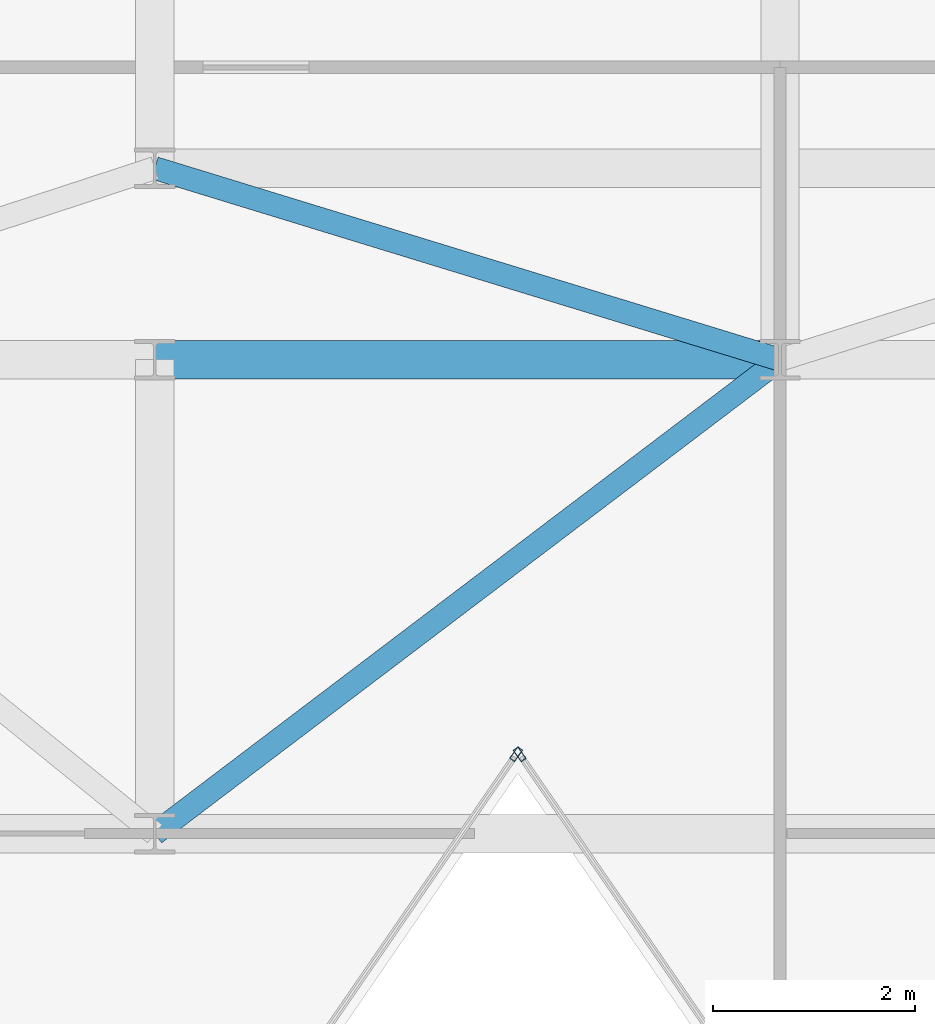
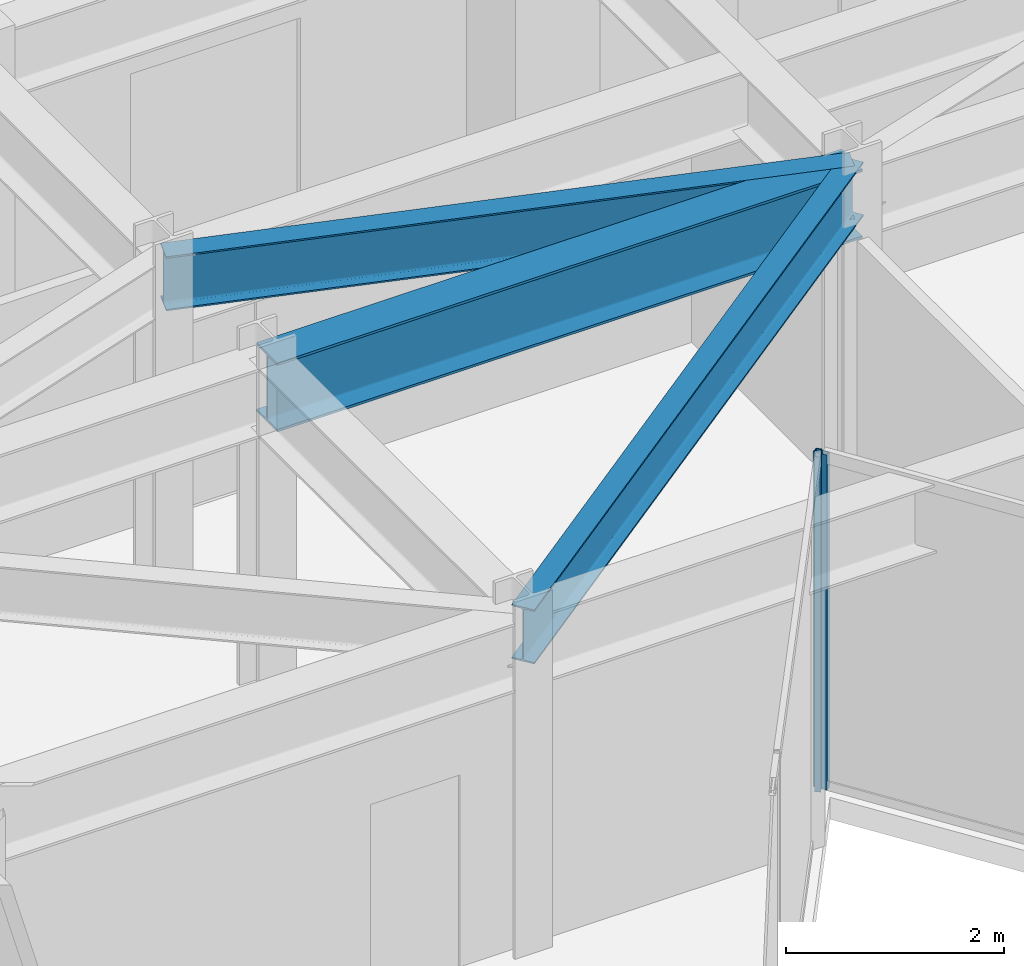
# One storey, part 14 of 26: 3 beams, 2 members, 2 elements without a shape of their own.
"""IFC4 building model written with IfcOpenShell, lengths in metres."""

from ifc_helpers import new_model, si_unit, direction, frame, origin, origin_2d, place, context, subcontext, project, spatial, hollow_rectangle, i_section, extrude, material, layer, layer_set, material_profile, profile_set, type_object, element, aggregate, save


model = new_model("IFC4")

# Units and contexts
model_context = context("Model", 3, precision=1e-05, world=origin(), true_north=direction((0.0, 1.0)))
body_context = subcontext(model_context, "Body", "Model", "MODEL_VIEW")
ifc_project = project(units=[si_unit("LENGTHUNIT", "METRE"), si_unit("AREAUNIT", "SQUARE_METRE"), si_unit("VOLUMEUNIT", "CUBIC_METRE"), si_unit("PLANEANGLEUNIT", "RADIAN"), si_unit("MASSUNIT", "GRAM", prefix="KILO")], contexts=[model_context])

# Site, building, storey
site_placement = place(None, origin())
site = spatial("IfcSite", under=ifc_project, at=site_placement, CompositionType="ELEMENT")
building_placement = place(site_placement, origin())
building = spatial("IfcBuilding", under=site, at=building_placement, Name="Kravanh Interchange Tower", CompositionType="ELEMENT")
storey_placement = place(building_placement, frame((0.0, 0.0, 204.5)))
storey = spatial("IfcBuildingStorey", under=building, at=storey_placement, Name="L49", CompositionType="ELEMENT", Elevation=204.5)

# Curtain wall, member
ifc_material_1 = material(Name="Anodised Bronze Aluminium", Category="aluminium")
ifc_layer = layer(ifc_material_1, 0.179931640625)
ifc_layer_set = layer_set([ifc_layer], Name="Unitised Curtain Wall System CW-Z3 Upper Office")
curtain_wall_type = type_object("IfcCurtainWallType", Name="Unitised Curtain Wall System CW-Z3 Upper Office", PredefinedType="NOTDEFINED", material=ifc_layer_set)
curtain_wall_1_placement = place(storey_placement, origin())
curtain_wall_1 = element("IfcCurtainWall", 1, at=curtain_wall_1_placement, inside=storey, type_object=curtain_wall_type, Name="L49 Unitised Curtain Wall CW-L49-04", PredefinedType="NOTDEFINED")
ifc_material_2 = material(Name="Anodised Bronze Aluminium", Category="aluminium")
ifc_material_profile_1 = material_profile(ifc_material_2, hollow_rectangle(XDim=0.06005859375, YDim=0.139892578125, WallThickness=0.00390625, at=origin_2d()), Name="ALU60X140X4")
ifc_profile_set_1 = profile_set([ifc_material_profile_1], Name="Anodised Bronze Aluminium")
member_type = type_object("IfcMemberType", Name="Curtain Wall Mullion ALU60X140X4 Bronze", PredefinedType="MULLION", material=ifc_profile_set_1)
member_1_placement = place(storey_placement, frame((42.217041015625, 27.587158203125, 0.0), z_axis=(0.0, 0.0, 1.0), x_axis=(-0.824042223035, -0.566528388217, 0.0)))
member_1 = element("IfcMember", 2, at=member_1_placement, type_object=member_type, Name="CW-Z3 mullion 5", PredefinedType="MULLION", context=body_context, shape_type="SweptSolid", body=[
    extrude(hollow_rectangle(XDim=0.06005859375, YDim=0.139892578125, WallThickness=0.00390625, at=origin_2d()), origin(), (0.0, 0.0, 1.0), 3.7548828125),
])
aggregate(curtain_wall_1, [member_1])

curtain_wall_2_placement = place(storey_placement, origin())
curtain_wall_2 = element("IfcCurtainWall", 3, at=curtain_wall_2_placement, inside=storey, type_object=curtain_wall_type, Name="L49 Unitised Curtain Wall CW-L49-05", PredefinedType="NOTDEFINED")
member_2_placement = place(storey_placement, frame((42.18310546875, 27.587158203125, 0.0), z_axis=(0.0, 0.0, 1.0), x_axis=(0.824042223035, -0.566528388217, 0.0)))
member_2 = element("IfcMember", 4, at=member_2_placement, type_object=member_type, Name="CW-Z3 mullion 1", PredefinedType="MULLION", context=body_context, shape_type="SweptSolid", body=[
    extrude(hollow_rectangle(XDim=0.06005859375, YDim=0.139892578125, WallThickness=0.00390625, at=origin_2d()), origin(), (0.0, 0.0, 1.0), 3.7548828125),
])
aggregate(curtain_wall_2, [member_2])

# Beams
ifc_material_3 = material(Name="Structural Steel S355", Category="steel")
ifc_material_profile_2 = material_profile(ifc_material_3, i_section(OverallWidth=0.381103515625, OverallDepth=0.77294921875, WebThickness=0.0166015625, FlangeThickness=0.027099609375, FilletRadius=0.02490234375, at=origin_2d()), Name="W30X173")
ifc_profile_set_2 = profile_set([ifc_material_profile_2], Name="Structural Steel S355")
beam_type_1 = type_object("IfcBeamType", Name="Floor Beam W30X173 Structural Steel S355", PredefinedType="BEAM", material=ifc_profile_set_2)
beam_1_placement = place(storey_placement, frame((38.60009765625, 31.5, 3.368408203125), z_axis=(1.0, 0.0, 0.0), x_axis=(0.0, 1.0, 0.0)))
element("IfcBeam", 5, at=beam_1_placement, inside=storey, type_object=beam_type_1, Name="L49 Primary Floor Girder 72", PredefinedType="BEAM", context=body_context, shape_type="SweptSolid", body=[
    extrude(i_section(OverallWidth=0.381103515625, OverallDepth=0.77294921875, WebThickness=0.0166015625, FlangeThickness=0.027099609375, FilletRadius=0.02490234375, at=origin_2d()), origin(), (0.0, 0.0, 1.0), 6.199951171875),
])
ifc_material_4 = material(Name="Structural Steel S355", Category="steel")
ifc_material_profile_3 = material_profile(ifc_material_4, i_section(OverallWidth=0.22802734375, OverallDepth=0.60791015625, WebThickness=0.01123046875, FlangeThickness=0.017333984375, FilletRadius=0.02197265625, at=origin_2d()), Name="W24X76")
ifc_profile_set_3 = profile_set([ifc_material_profile_3], Name="Structural Steel S355")
beam_type_2 = type_object("IfcBeamType", Name="Floor Spandrel W24X76 Structural Steel S355", PredefinedType="SPANDREL", material=ifc_profile_set_3)
beam_2_placement = place(storey_placement, frame((38.60009765625, 26.800048828125, 3.450927734375), z_axis=(0.796905365509, 0.604104161898, 0.0), x_axis=(-0.604104161898, 0.796905365509, 0.0)))
element("IfcBeam", 6, at=beam_2_placement, inside=storey, type_object=beam_type_2, Name="L49 Perimeter Spandrel 47", PredefinedType="SPANDREL", context=body_context, shape_type="SweptSolid", body=[
    extrude(i_section(OverallWidth=0.22802734375, OverallDepth=0.60791015625, WebThickness=0.01123046875, FlangeThickness=0.017333984375, FilletRadius=0.02197265625, at=origin_2d()), origin(), (0.0, 0.0, 1.0), 7.780029296875),
])
beam_3_placement = place(storey_placement, frame((44.800048828125, 31.5, 3.450927734375), z_axis=(-0.956115397264, 0.292990353279, 0.0), x_axis=(-0.292990353279, -0.956115397264, 0.0)))
element("IfcBeam", 7, at=beam_3_placement, inside=storey, type_object=beam_type_2, Name="L49 Perimeter Spandrel 76", PredefinedType="SPANDREL", context=body_context, shape_type="SweptSolid", body=[
    extrude(i_section(OverallWidth=0.22802734375, OverallDepth=0.60791015625, WebThickness=0.01123046875, FlangeThickness=0.017333984375, FilletRadius=0.02197265625, at=origin_2d()), origin(), (0.0, 0.0, 1.0), 6.484619140625),
])

save(model, "model.ifc")
